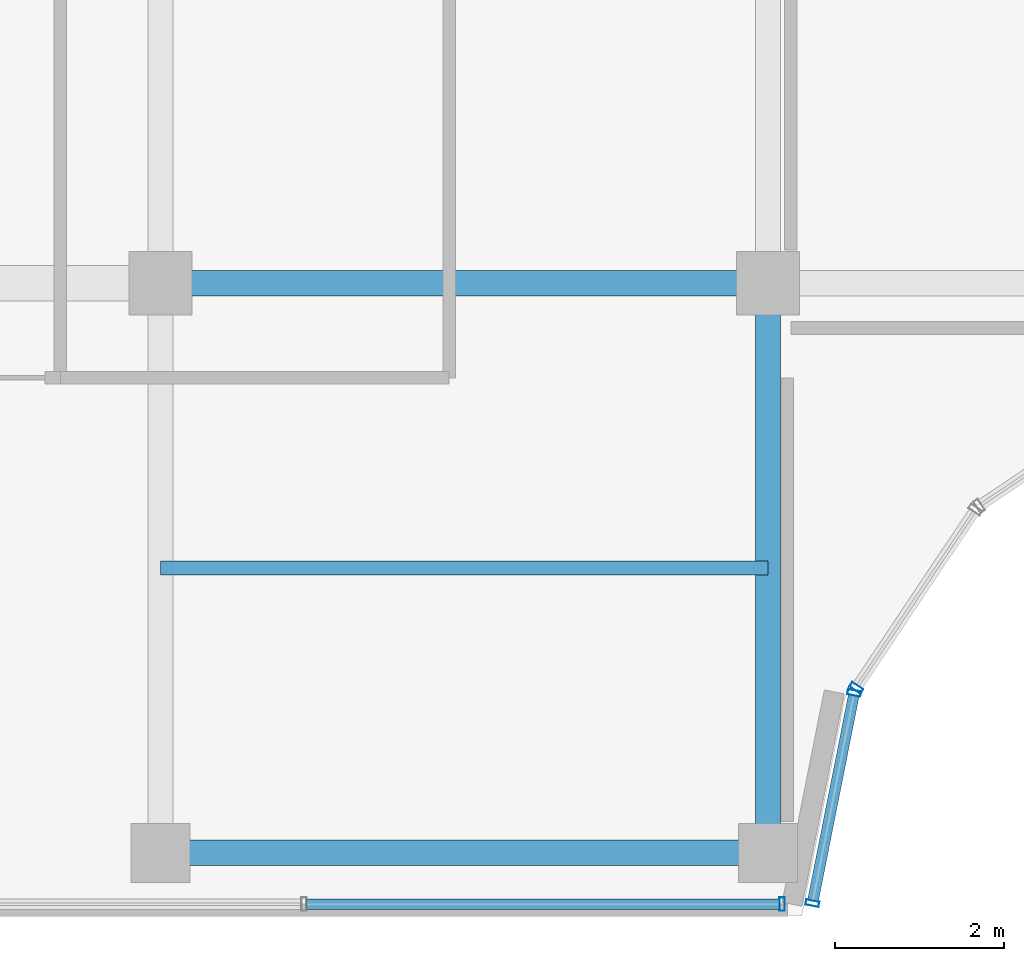
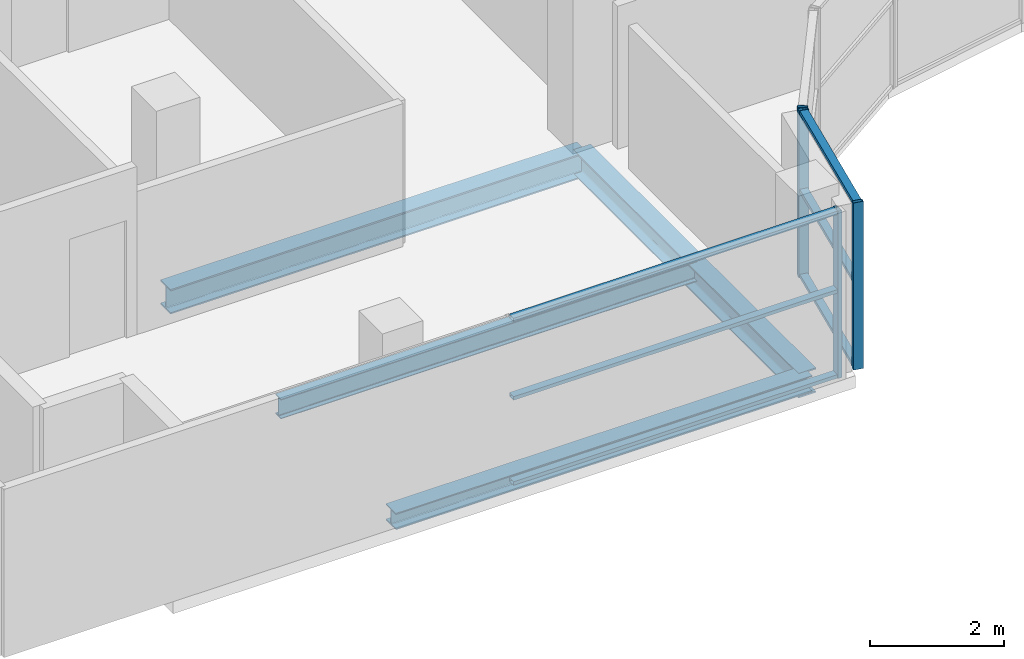
# One storey, part 3 of 29: 10 members, 4 beams, 3 elements without a shape of their own.
"""IFC4 building model written with IfcOpenShell, lengths in metres."""

from ifc_helpers import new_model, si_unit, direction, frame, origin, origin_2d, place, context, subcontext, project, spatial, hollow_rectangle, i_section, extrude, source, transform, mapped, material, layer, layer_set, material_profile, profile_set, type_object, element, aggregate, save


model = new_model("IFC4")

# Units and contexts
model_context = context("Model", 3, precision=1e-05, world=origin(), true_north=direction((0.0, 1.0)))
body_context = subcontext(model_context, "Body", "Model", "MODEL_VIEW")
ifc_project = project(units=[si_unit("LENGTHUNIT", "METRE"), si_unit("AREAUNIT", "SQUARE_METRE"), si_unit("VOLUMEUNIT", "CUBIC_METRE"), si_unit("PLANEANGLEUNIT", "RADIAN"), si_unit("MASSUNIT", "GRAM", prefix="KILO")], contexts=[model_context])

# Site, building, storey
site_placement = place(None, origin())
site = spatial("IfcSite", under=ifc_project, at=site_placement, CompositionType="ELEMENT")
building_placement = place(site_placement, origin())
building = spatial("IfcBuilding", under=site, at=building_placement, Name="Zarnakvel Exchange Tower", CompositionType="ELEMENT")
storey_placement = place(building_placement, frame((0.0, 0.0, 258.39990234375)))
storey = spatial("IfcBuildingStorey", under=building, at=storey_placement, Name="L73", CompositionType="ELEMENT", Elevation=258.39990234375)

# Beams
ifc_material_1 = material(Name="Steel S355", Category="steel")
ifc_material_profile_1 = material_profile(ifc_material_1, i_section(OverallWidth=0.169921875, OverallDepth=0.360107421875, WebThickness=0.008056640625, FlangeThickness=0.0126953125, FilletRadius=0.01806640625, at=origin_2d()))
ifc_profile_set_1 = profile_set([ifc_material_profile_1], Name="Steel S355")
beam_type_1 = type_object("IfcBeamType", Name="B-07", PredefinedType="JOIST", material=ifc_profile_set_1)
beam_1_placement = place(storey_placement, frame((-14.39990234375, -12.97509765625, -0.40478515625), z_axis=(1.0, 0.0, 0.0), x_axis=(0.0, 1.0, 0.0)))
element("IfcBeam", 1, at=beam_1_placement, inside=storey, type_object=beam_type_1, Name="L73 Composite Floor Secondary Joist", PredefinedType="JOIST", context=body_context, shape_type="SweptSolid", body=[
    extrude(i_section(OverallWidth=0.169921875, OverallDepth=0.360107421875, WebThickness=0.008056640625, FlangeThickness=0.0126953125, FilletRadius=0.01806640625, at=origin_2d()), origin(), (0.0, 0.0, 1.0), 7.199951171875),
])
ifc_material_profile_2 = material_profile(ifc_material_1, i_section(OverallWidth=0.300048828125, OverallDepth=0.449951171875, WebThickness=0.013916015625, FlangeThickness=0.02587890625, FilletRadius=0.027099609375, at=origin_2d()))
ifc_profile_set_2 = profile_set([ifc_material_profile_2], Name="Steel S355")
beam_type_2 = type_object("IfcBeamType", Name="G-07", PredefinedType="BEAM", material=ifc_profile_set_2)
beam_2_placement = place(storey_placement, frame((-14.39990234375, -9.60009765625, -0.449951171875), z_axis=(1.0, 0.0, 0.0), x_axis=(0.0, 1.0, 0.0)))
element("IfcBeam", 2, at=beam_2_placement, inside=storey, type_object=beam_type_2, Name="L73 Tower E-W Frame Beam", PredefinedType="BEAM", context=body_context, shape_type="SweptSolid", body=[
    extrude(i_section(OverallWidth=0.300048828125, OverallDepth=0.449951171875, WebThickness=0.013916015625, FlangeThickness=0.02587890625, FilletRadius=0.027099609375, at=origin_2d()), origin(), (0.0, 0.0, 1.0), 7.199951171875),
])
beam_3_placement = place(storey_placement, frame((-7.199951171875, -16.35009765625, -0.449951171875), z_axis=(0.0, 1.0, 0.0), x_axis=(-1.0, 0.0, 0.0)))
element("IfcBeam", 3, at=beam_3_placement, inside=storey, type_object=beam_type_2, Name="L73 Tower N-S Frame Beam", PredefinedType="BEAM", context=body_context, shape_type="SweptSolid", body=[
    extrude(i_section(OverallWidth=0.300048828125, OverallDepth=0.449951171875, WebThickness=0.013916015625, FlangeThickness=0.02587890625, FilletRadius=0.027099609375, at=origin_2d()), origin(), (0.0, 0.0, 1.0), 6.75),
])
ifc_material_profile_3 = material_profile(ifc_material_1, i_section(OverallWidth=0.300048828125, OverallDepth=0.300048828125, WebThickness=0.010986328125, FlangeThickness=0.01904296875, FilletRadius=0.027099609375, at=origin_2d()))
ifc_profile_set_3 = profile_set([ifc_material_profile_3], Name="Steel S355")
beam_type_3 = type_object("IfcBeamType", Name="SP-03", PredefinedType="SPANDREL", material=ifc_profile_set_3)
beam_4_placement = place(storey_placement, frame((-14.39990234375, -16.35009765625, -0.375), z_axis=(1.0, 0.0, 0.0), x_axis=(0.0, 1.0, 0.0)))
element("IfcBeam", 4, at=beam_4_placement, inside=storey, type_object=beam_type_3, Name="L73 Tower E-W Frame Beam", PredefinedType="SPANDREL", context=body_context, shape_type="SweptSolid", body=[
    extrude(i_section(OverallWidth=0.300048828125, OverallDepth=0.300048828125, WebThickness=0.010986328125, FlangeThickness=0.01904296875, FilletRadius=0.027099609375, at=origin_2d()), origin(), (0.0, 0.0, 1.0), 7.199951171875),
])

# Curtain wall, members
ifc_material_2 = material(Name="Architectural Bronze Anodised Aluminium", Category="aluminium")
ifc_layer = layer(ifc_material_2, 0.159912109375)
ifc_layer_set = layer_set([ifc_layer], Name="Architectural Bronze Anodised Aluminium")
curtain_wall_type = type_object("IfcCurtainWallType", Name="CW-06", PredefinedType="NOTDEFINED", material=ifc_layer_set)
curtain_wall_1_placement = place(storey_placement, origin())
curtain_wall_1 = element("IfcCurtainWall", 5, at=curtain_wall_1_placement, inside=storey, type_object=curtain_wall_type, Name="L73 Curtain Wall CW-L73-NC1 (CW-06)", PredefinedType="NOTDEFINED")
ifc_material_profile_4 = material_profile(ifc_material_2, hollow_rectangle(XDim=0.159912109375, YDim=0.06494140625, WallThickness=0.00390625, at=origin_2d()))
ifc_profile_set_4 = profile_set([ifc_material_profile_4], Name="Architectural Bronze Anodised Aluminium")
member_type_1 = type_object("IfcMemberType", Name="CWM-06", PredefinedType="MULLION", material=ifc_profile_set_4)
shared_shape_1 = source(origin(), body_context, "Body", "SweptSolid", [
    extrude(hollow_rectangle(XDim=0.159912109375, YDim=0.06494140625, WallThickness=0.00390625, at=origin_2d()), origin(), (0.0, 0.0, 1.0), 3.05517578125),
])
member_1_placement = place(storey_placement, frame((-6.673583984375, -16.9482421875, 0.0), z_axis=(0.0, 0.0, 1.0), x_axis=(-0.980785255264, 0.195090448398, 0.0)))
member_1 = element("IfcMember", 6, at=member_1_placement, type_object=member_type_1, Name="CW-06 mullion 1", PredefinedType="MULLION", context=body_context, shape_type="MappedRepresentation", body=[
    mapped(shared_shape_1, transform((0.0, 0.0, 0.0), x_axis=(1.0, 0.0, 0.0), y_axis=(0.0, 1.0, 0.0), z_axis=(0.0, 0.0, 1.0), scale=1.0)),
])
member_2_placement = place(storey_placement, frame((-6.177734375, -14.45556640625, 0.0), z_axis=(0.0, 0.0, 1.0), x_axis=(-0.980785255264, 0.195090448398, 0.0)))
member_2 = element("IfcMember", 7, at=member_2_placement, type_object=member_type_1, Name="CW-06 mullion 2", PredefinedType="MULLION", context=body_context, shape_type="MappedRepresentation", body=[
    mapped(shared_shape_1, transform((0.0, 0.0, 0.0), x_axis=(1.0, 0.0, 0.0), y_axis=(0.0, 1.0, 0.0), z_axis=(0.0, 0.0, 1.0), scale=1.0)),
])

# Curtain wall, member
curtain_wall_2_placement = place(storey_placement, origin())
curtain_wall_2 = element("IfcCurtainWall", 8, at=curtain_wall_2_placement, inside=storey, type_object=curtain_wall_type, Name="L73 Curtain Wall CW-L73-NC2 (CW-06)", PredefinedType="NOTDEFINED")
member_3_placement = place(storey_placement, frame((-6.153564453125, -14.396728515625, 0.0), z_axis=(0.0, 0.0, 1.0), x_axis=(-0.831469612089, 0.555570233339, 0.0)))
member_3 = element("IfcMember", 9, at=member_3_placement, type_object=member_type_1, Name="CW-06 mullion 1", PredefinedType="MULLION", context=body_context, shape_type="MappedRepresentation", body=[
    mapped(shared_shape_1, transform((0.0, 0.0, 0.0), x_axis=(1.0, 0.0, 0.0), y_axis=(0.0, 1.0, 0.0), z_axis=(0.0, 0.0, 1.0), scale=1.0)),
])
aggregate(curtain_wall_2, [member_3])

curtain_wall_3_placement = place(storey_placement, origin())
curtain_wall_3 = element("IfcCurtainWall", 10, at=curtain_wall_3_placement, inside=storey, type_object=curtain_wall_type, Name="L73 Curtain Wall CW-L73-NSW (CW-06)", PredefinedType="NOTDEFINED")
member_4_placement = place(storey_placement, frame((-7.032470703125, -16.9599609375, 0.0), z_axis=(0.0, 0.0, 1.0), x_axis=(0.0, 1.0, 0.0)))
member_4 = element("IfcMember", 11, at=member_4_placement, type_object=member_type_1, Name="CW-06 mullion 3", PredefinedType="MULLION", context=body_context, shape_type="MappedRepresentation", body=[
    mapped(shared_shape_1, transform((0.0, 0.0, 0.0), x_axis=(1.0, 0.0, 0.0), y_axis=(0.0, 1.0, 0.0), z_axis=(0.0, 0.0, 1.0), scale=1.0)),
])

# Member
ifc_material_profile_5 = material_profile(ifc_material_2, hollow_rectangle(XDim=0.1298828125, YDim=0.06494140625, WallThickness=0.00390625, at=origin_2d()))
ifc_profile_set_5 = profile_set([ifc_material_profile_5], Name="Architectural Bronze Anodised Aluminium")
member_type_2 = type_object("IfcMemberType", Name="CWT-06", PredefinedType="USERDEFINED", material=ifc_profile_set_5)
shared_shape_2 = source(origin(), body_context, "Body", "SweptSolid", [
    extrude(hollow_rectangle(XDim=0.1298828125, YDim=0.06494140625, WallThickness=0.00390625, at=origin_2d()), origin(), (0.0, 0.0, 1.0), 2.4765625),
])
member_5_placement = place(storey_placement, frame((-6.667236328125, -16.916259765625, 0.03271484375), z_axis=(0.195092299863, 0.980784886983, 0.0), x_axis=(-0.980784886983, 0.195092299863, 0.0)))
member_5 = element("IfcMember", 12, at=member_5_placement, type_object=member_type_2, Name="CW-06 transom 1.1", ObjectType="TRANSOM", PredefinedType="USERDEFINED", context=body_context, shape_type="MappedRepresentation", body=[
    mapped(shared_shape_2, transform((0.0, 0.0, 0.0), x_axis=(1.0, 0.0, 0.0), y_axis=(0.0, 1.0, 0.0), z_axis=(0.0, 0.0, 1.0), scale=1.0)),
])

member_6_placement = place(storey_placement, frame((-6.667236328125, -16.916259765625, 1.588623046875), z_axis=(0.195092299863, 0.980784886983, 0.0), x_axis=(-0.980784886983, 0.195092299863, 0.0)))
member_6 = element("IfcMember", 13, at=member_6_placement, type_object=member_type_2, Name="CW-06 transom 1.2", ObjectType="TRANSOM", PredefinedType="USERDEFINED", context=body_context, shape_type="MappedRepresentation", body=[
    mapped(shared_shape_2, transform((0.0, 0.0, 0.0), x_axis=(1.0, 0.0, 0.0), y_axis=(0.0, 1.0, 0.0), z_axis=(0.0, 0.0, 1.0), scale=1.0)),
])

member_7_placement = place(storey_placement, frame((-6.667236328125, -16.916259765625, 3.022705078125), z_axis=(0.195092299863, 0.980784886983, 0.0), x_axis=(-0.980784886983, 0.195092299863, 0.0)))
member_7 = element("IfcMember", 14, at=member_7_placement, type_object=member_type_2, Name="CW-06 transom 1.3", ObjectType="TRANSOM", PredefinedType="USERDEFINED", context=body_context, shape_type="MappedRepresentation", body=[
    mapped(shared_shape_2, transform((0.0, 0.0, 0.0), x_axis=(1.0, 0.0, 0.0), y_axis=(0.0, 1.0, 0.0), z_axis=(0.0, 0.0, 1.0), scale=1.0)),
])

aggregate(curtain_wall_1, [member_1, member_2, member_5, member_6, member_7])

shared_shape_3 = source(origin(), body_context, "Body", "SweptSolid", [
    extrude(hollow_rectangle(XDim=0.1298828125, YDim=0.06494140625, WallThickness=0.00390625, at=origin_2d()), origin(), (0.0, 0.0, 1.0), 5.6025390625),
])
member_8_placement = place(storey_placement, frame((-12.66748046875, -16.9599609375, 0.03271484375), z_axis=(1.0, 0.0, 0.0), x_axis=(0.0, 1.0, 0.0)))
member_8 = element("IfcMember", 15, at=member_8_placement, type_object=member_type_2, Name="CW-06 transom 2.1", ObjectType="TRANSOM", PredefinedType="USERDEFINED", context=body_context, shape_type="MappedRepresentation", body=[
    mapped(shared_shape_3, transform((0.0, 0.0, 0.0), x_axis=(1.0, 0.0, 0.0), y_axis=(0.0, 1.0, 0.0), z_axis=(0.0, 0.0, 1.0), scale=1.0)),
])

member_9_placement = place(storey_placement, frame((-12.66748046875, -16.9599609375, 1.588623046875), z_axis=(1.0, 0.0, 0.0), x_axis=(0.0, 1.0, 0.0)))
member_9 = element("IfcMember", 16, at=member_9_placement, type_object=member_type_2, Name="CW-06 transom 2.2", ObjectType="TRANSOM", PredefinedType="USERDEFINED", context=body_context, shape_type="MappedRepresentation", body=[
    mapped(shared_shape_3, transform((0.0, 0.0, 0.0), x_axis=(1.0, 0.0, 0.0), y_axis=(0.0, 1.0, 0.0), z_axis=(0.0, 0.0, 1.0), scale=1.0)),
])

member_10_placement = place(storey_placement, frame((-12.66748046875, -16.9599609375, 3.022705078125), z_axis=(1.0, 0.0, 0.0), x_axis=(0.0, 1.0, 0.0)))
member_10 = element("IfcMember", 17, at=member_10_placement, type_object=member_type_2, Name="CW-06 transom 2.3", ObjectType="TRANSOM", PredefinedType="USERDEFINED", context=body_context, shape_type="MappedRepresentation", body=[
    mapped(shared_shape_3, transform((0.0, 0.0, 0.0), x_axis=(1.0, 0.0, 0.0), y_axis=(0.0, 1.0, 0.0), z_axis=(0.0, 0.0, 1.0), scale=1.0)),
])

aggregate(curtain_wall_3, [member_4, member_8, member_9, member_10])

save(model, "model.ifc")
